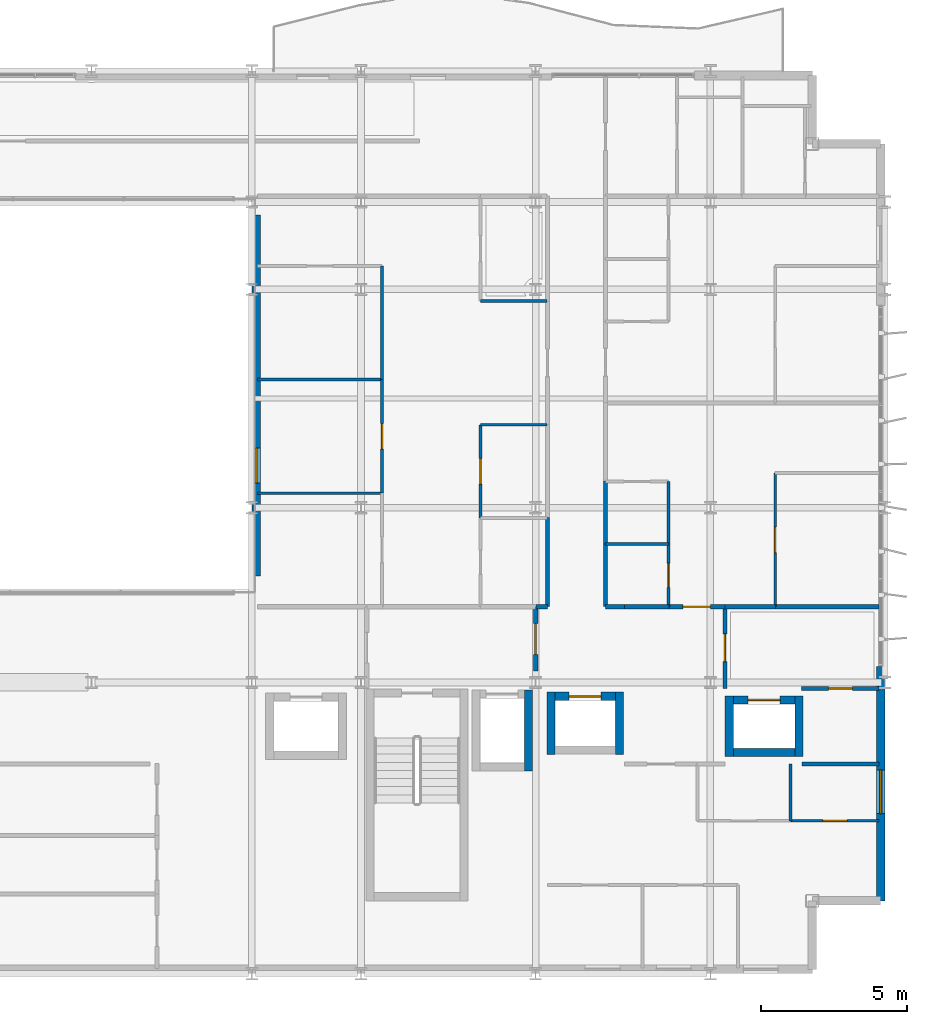
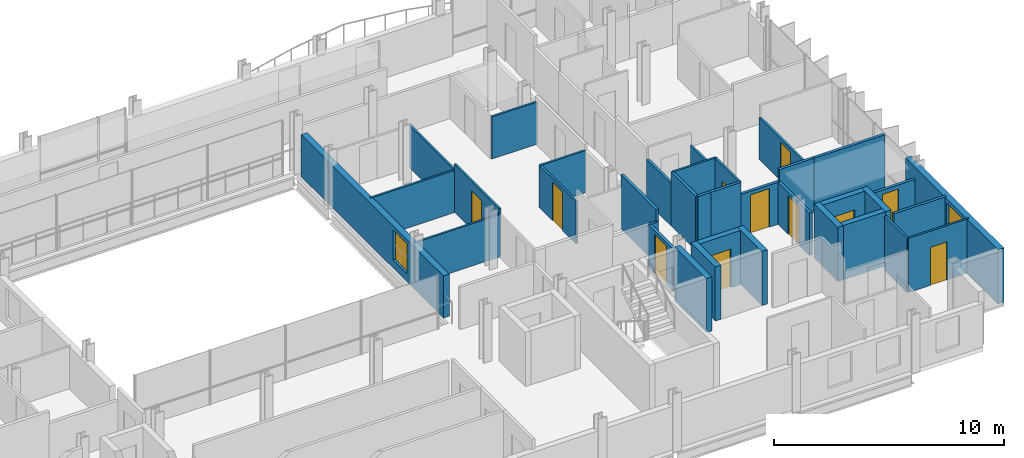
# One storey, part 31 of 39: 36 walls, 11 doors, 2 windows, 13 openings.
"""IFC4 building model written with IfcOpenShell, lengths in metres."""

import ifcopenshell
import ifcopenshell.guid

model = None  # the IFC model being written
_history = None  # IfcOwnerHistory: only IFC2X3 demands one
_inside = {}  # id of a spatial element -> (the spatial element, [elements in it])
_under = {}  # id of a project, library or spatial element -> (it, [spatial elements below it])
_declared = {}  # id of a project -> (the project, [libraries it declares])
_typed = {}  # id of a type object -> (the type object, [elements of that type])
_made_of = {}  # id of a material, layer set ... -> (it, [elements and type objects made of it])


def new_model(schema):
    """Start an empty IFC model of exactly this schema.

    Asked for "IFC4X3", IfcOpenShell would pick the latest addendum, in which some entities
    have other attributes; the version numbers below select the first issue.
    IFC2X3 requires an IfcOwnerHistory on every rooted entity: one is made here for all.
    """
    global model, _history
    if schema == "IFC4X3":
        model = ifcopenshell.file(schema_version=(4, 3, 0, 0))
    else:
        model = ifcopenshell.file(schema=schema)
    _inside.clear()
    _under.clear()
    _declared.clear()
    _typed.clear()
    _made_of.clear()
    _history = None
    if model.schema == "IFC2X3":
        org = make("IfcOrganization", Name="unknown")
        user = make(
            "IfcPersonAndOrganization",
            ThePerson=make("IfcPerson", FamilyName="unknown"),
            TheOrganization=org,
        )
        app = make(
            "IfcApplication",
            ApplicationDeveloper=org,
            Version="unknown",
            ApplicationFullName="unknown",
            ApplicationIdentifier="unknown",
        )
        _history = make(
            "IfcOwnerHistory",
            OwningUser=user,
            OwningApplication=app,
            ChangeAction="ADDED",
            CreationDate=0,
        )
    return model


def make(cls, **values):
    """One entity of the class cls with the attributes given. An attribute that is None is left unset."""
    return model.create_entity(
        cls, **{name: value for name, value in values.items() if value is not None}
    )


def rooted(cls, **values):
    """An entity with a GlobalId (a new one), such as an element, a storey or a relation."""
    return make(cls, GlobalId=ifcopenshell.guid.new(), OwnerHistory=_history, **values)


def si_unit(unit_type, name, prefix=None):
    """IfcSIUnit, for example si_unit("LENGTHUNIT", "METRE", prefix="MILLI")."""
    return make("IfcSIUnit", UnitType=unit_type, Prefix=prefix, Name=name)


def assignment(units):
    """IfcUnitAssignment: the units of a project."""
    return None if units is None else make("IfcUnitAssignment", Units=units)


def point(xyz):
    """IfcCartesianPoint."""
    return None if xyz is None else make("IfcCartesianPoint", Coordinates=xyz)


def direction(xyz):
    """IfcDirection."""
    return None if xyz is None else make("IfcDirection", DirectionRatios=xyz)


def frame(location, z_axis=None, x_axis=None):
    """IfcAxis2Placement3D, a coordinate frame: its origin and axes. An axis left out is left unset."""
    return make(
        "IfcAxis2Placement3D",
        Location=point(location),
        Axis=direction(z_axis),
        RefDirection=direction(x_axis),
    )


def frame_2d(location, x_axis=None):
    """IfcAxis2Placement2D, a coordinate frame in the plane: its origin and x axis."""
    return make(
        "IfcAxis2Placement2D", Location=point(location), RefDirection=direction(x_axis)
    )


def origin():
    """The frame at (0, 0, 0) with its axes left unset."""
    return frame((0.0, 0.0, 0.0))


def place(relative_to, where):
    """IfcLocalPlacement: puts the frame where relative to a parent placement (None: the world)."""
    return make(
        "IfcLocalPlacement", PlacementRelTo=relative_to, RelativePlacement=where
    )


def context(
    kind, dimensions, precision=None, world=None, true_north=None, identifier=None
):
    """IfcGeometricRepresentationContext, for example the 3D "Model" context."""
    return make(
        "IfcGeometricRepresentationContext",
        ContextIdentifier=identifier,
        ContextType=kind,
        CoordinateSpaceDimension=dimensions,
        Precision=precision,
        WorldCoordinateSystem=world,
        TrueNorth=true_north,
    )


def subcontext(parent, identifier, kind, view, scale=None):
    """IfcGeometricRepresentationSubContext, for example "Body" below "Model"."""
    return make(
        "IfcGeometricRepresentationSubContext",
        ContextIdentifier=identifier,
        ContextType=kind,
        ParentContext=parent,
        TargetScale=scale,
        TargetView=view,
    )


def project(units=None, contexts=None):
    """IfcProject with its units and contexts."""
    return rooted(
        "IfcProject",
        Name="project",
        RepresentationContexts=contexts,
        UnitsInContext=assignment(units),
    )


def spatial(cls, under=None, at=None, **own):
    """A site, building, storey or space (cls), placed at a placement, below another one or the project."""
    s = rooted(cls, ObjectPlacement=at, **own)
    if under is not None:
        _under.setdefault(under.id(), (under, []))[1].append(s)
    return s


def profile(cls, at=None, kind="AREA", **sizes):
    """A parametric profile (cls). Its sizes go by their IFC names, for example OverallWidth=200.0."""
    return make(cls, ProfileType=kind, Position=at, **sizes)


def rectangle(**sizes):
    """IfcRectangleProfileDef."""
    return profile("IfcRectangleProfileDef", **sizes)


def extrude(swept, where, along, depth):
    """IfcExtrudedAreaSolid: the profile swept, set in the frame where, extruded along a direction by depth."""
    return make(
        "IfcExtrudedAreaSolid",
        SweptArea=swept,
        Position=where,
        ExtrudedDirection=direction(along),
        Depth=depth,
    )


def shape(context_of_items, identifier, shape_type, items):
    """IfcShapeRepresentation: the items that make up one representation, for example the "Body"."""
    return make(
        "IfcShapeRepresentation",
        ContextOfItems=context_of_items,
        RepresentationIdentifier=identifier,
        RepresentationType=shape_type,
        Items=items,
    )


def material(Name=None, Category=None):
    """IfcMaterial."""
    return make("IfcMaterial", Name=Name, Category=Category)


def layer(
    of_material, thickness, ventilated=None, Name=None, Category=None, Priority=None
):
    """IfcMaterialLayer: one layer of a wall or slab, of a material (None: an air gap)."""
    return make(
        "IfcMaterialLayer",
        Material=of_material,
        LayerThickness=thickness,
        IsVentilated=ventilated,
        Name=Name,
        Category=Category,
        Priority=Priority,
    )


def layer_set(layers, Name=None):
    """IfcMaterialLayerSet."""
    return make("IfcMaterialLayerSet", MaterialLayers=layers, LayerSetName=Name)


def made_of(thing, what):
    """Note that an element or type object is made of a material, layer set ...; save() writes the relation."""
    if what is not None:
        _made_of.setdefault(what.id(), (what, []))[1].append(thing)
    return thing


def type_object(cls, material=None, **own):
    """A type object (cls), such as IfcWallType, which elements share."""
    return made_of(rooted(cls, **own), material)


def element(
    cls,
    number,
    at=None,
    inside=None,
    cuts=None,
    type_object=None,
    material=None,
    context=None,
    identifier="Body",
    shape_type=None,
    held_by="IfcProductDefinitionShape",
    body=None,
    shapes=None,
    **own,
):
    """One element of the class cls, such as IfcWall. Its Tag is "e" and its number.

    at: its placement. inside: the storey or other place that contains it. cuts: it is an
    opening in that element (IfcRelVoidsElement). A single representation is given by context,
    identifier, shape_type and body (its items); several are given by shapes. held_by: the class
    of the entity that holds the representations. save() writes the other relations.
    """
    e = rooted(cls, Tag="e%d" % number, ObjectPlacement=at, **own)
    if body is not None:
        shapes = [shape(context, identifier, shape_type, body)]
    if shapes is not None:
        e.Representation = make(held_by, Representations=shapes)
    if inside is not None:
        _inside.setdefault(inside.id(), (inside, []))[1].append(e)
    if cuts is not None:
        rooted(
            "IfcRelVoidsElement", RelatingBuildingElement=cuts, RelatedOpeningElement=e
        )
    if type_object is not None:
        _typed.setdefault(type_object.id(), (type_object, []))[1].append(e)
    return made_of(e, material)


def fill(opening, filler):
    """IfcRelFillsElement: the door or window that sits in an opening."""
    return rooted(
        "IfcRelFillsElement",
        RelatingOpeningElement=opening,
        RelatedBuildingElement=filler,
    )


def aggregate(whole, parts):
    """IfcRelAggregates: a whole, such as a stair, and the parts it consists of."""
    return rooted("IfcRelAggregates", RelatingObject=whole, RelatedObjects=parts)


def save(model, path):
    """Write the relations noted so far, then the file.

    IfcRelAggregates (storeys below a building ...), IfcRelContainedInSpatialStructure (elements
    in a storey), IfcRelDefinesByType, IfcRelAssociatesMaterial and IfcRelDeclares: one each for
    every whole, place, type object, material and project.
    """
    for whole, parts in _under.values():
        aggregate(whole, parts)
    for where, things in _inside.values():
        rooted(
            "IfcRelContainedInSpatialStructure",
            RelatedElements=things,
            RelatingStructure=where,
        )
    for kind, things in _typed.values():
        rooted("IfcRelDefinesByType", RelatedObjects=things, RelatingType=kind)
    for what, things in _made_of.values():
        rooted("IfcRelAssociatesMaterial", RelatedObjects=things, RelatingMaterial=what)
    for by, libraries in _declared.values():
        rooted("IfcRelDeclares", RelatingContext=by, RelatedDefinitions=libraries)
    model.write(path)


model = new_model("IFC4")

# Units and contexts
model_context = context("Model", 3, precision=1e-05, world=origin(), true_north=direction((0.0, 1.0)))
body_context = subcontext(model_context, "Body", "Model", "MODEL_VIEW")
ifc_project = project(units=[si_unit("LENGTHUNIT", "METRE"), si_unit("AREAUNIT", "SQUARE_METRE"), si_unit("VOLUMEUNIT", "CUBIC_METRE"), si_unit("PLANEANGLEUNIT", "RADIAN"), si_unit("MASSUNIT", "GRAM", prefix="KILO")], contexts=[model_context])

# Site, building, storey
site_placement = place(None, origin())
site = spatial("IfcSite", under=ifc_project, at=site_placement, CompositionType="ELEMENT")
building_placement = place(site_placement, origin())
building = spatial("IfcBuilding", under=site, at=building_placement, Name="Brevholm Reach", CompositionType="ELEMENT")
storey_placement = place(building_placement, frame((0.0, 0.0, 115.89990234375)))
storey = spatial("IfcBuildingStorey", under=building, at=storey_placement, Name="L34", CompositionType="ELEMENT", Elevation=115.89990234375)

# Walls
ifc_material_1 = material(Name="Concrete C50/60", Category="concrete")
ifc_layer_1 = layer(ifc_material_1, 0.280029296875)
ifc_layer_set_1 = layer_set([ifc_layer_1], Name="Concrete C50/60")
wall_type_1 = type_object("IfcWallType", Name="WAL-COR-280", PredefinedType="SHEAR", material=ifc_layer_set_1)
wall_1_placement = place(storey_placement, frame((47.75, 6.9599609375, 0.0), z_axis=(0.0, 0.0, 1.0), x_axis=(0.0, 1.0, 0.0)))
element("IfcWall", 1, at=wall_1_placement, inside=storey, type_object=wall_type_1, Name="L34 Lift FFL-2 Shaft Wall E", PredefinedType="SHEAR", context=body_context, shape_type="SweptSolid", body=[
    extrude(rectangle(XDim=2.780029296875, YDim=0.280029296875, at=frame_2d((1.39013671875, 0.0))), origin(), (0.0, 0.0, 1.0), 2.880126953125),
])
for number, where, z_axis, x_axis, name in (
    (2, (48.52490234375, 7.534912109375, 0.0), (0.0, 0.0, 1.0), (0.0, 1.0, 0.0), "L34 Lift PL-L1 Shaft Wall W"),
    (3, (50.875, 7.534912109375, 0.0), (0.0, 0.0, 1.0), (0.0, 1.0, 0.0), "L34 Lift PL-L1 Shaft Wall E"),
):
    element("IfcWall", number, at=place(storey_placement, frame(where, z_axis=z_axis, x_axis=x_axis)), inside=storey, type_object=wall_type_1, Name=name, PredefinedType="SHEAR", context=body_context, shape_type="SweptSolid", body=[
        extrude(rectangle(XDim=2.130126953125, YDim=0.280029296875, at=frame_2d((1.06494140625, 0.0))), origin(), (0.0, 0.0, 1.0), 2.880126953125),
    ])

# Wall, opening, door
wall_2_placement = place(storey_placement, frame((48.6650390625, 9.52490234375, 0.0), z_axis=(0.0, 0.0, 1.0), x_axis=(1.0, 0.0, 0.0)))
wall_2 = element("IfcWall", 4, at=wall_2_placement, inside=storey, type_object=wall_type_1, Name="L34 Lift PL-L1 Shaft Wall N", PredefinedType="SHEAR", context=body_context, shape_type="SweptSolid", body=[
    extrude(rectangle(XDim=2.070068359375, YDim=0.280029296875, at=frame_2d((1.03515625, 0.0))), origin(), (0.0, 0.0, 1.0), 2.880126953125),
])
opening_1_placement = place(wall_2_placement, frame((0.485107421875, 0.0, 0.0)))
opening_1 = element("IfcOpeningElement", 5, at=opening_1_placement, cuts=wall_2, Name="Opening LD-PL-L1", PredefinedType="OPENING", context=body_context, shape_type="SweptSolid", body=[
    extrude(rectangle(XDim=1.10009765625, YDim=2.06005859375, at=frame_2d((0.550048828125, 1.030029296875))), frame((0.0, 0.14990234375, 0.0), z_axis=(0.0, -1.0, 0.0), x_axis=(1.0, 0.0, 0.0)), (0.0, 0.0, 1.0), 0.300048828125),
])
ifc_material_2 = material(Name="Brushed Stainless Steel Fire-Rated Sliding Lift Door", Category="steel")
door_type_1 = type_object("IfcDoorType", Name="DOR-LFT-1100", OperationType="NOTDEFINED", PredefinedType="DOOR", material=ifc_material_2)
door_1_placement = place(opening_1_placement, origin())
door_1 = element("IfcDoor", 6, at=door_1_placement, inside=storey, type_object=door_type_1, Name="L34 Lift PL-L1 Sliding Landing Door", OperationType="SLIDING_TO_RIGHT", OverallHeight=2.06005859375, OverallWidth=1.10009765625, PredefinedType="DOOR", context=body_context, shape_type="SweptSolid", body=[
    extrude(rectangle(XDim=1.10009765625, YDim=2.06005859375, at=frame_2d((0.550048828125, 1.030029296875))), frame((0.0, 0.02490234375, 0.0), z_axis=(0.0, -1.0, 0.0), x_axis=(1.0, 0.0, 0.0)), (0.0, 0.0, 1.0), 0.050048828125),
])
fill(opening_1, door_1)

# Walls
for number, where, z_axis, x_axis, name in (
    (7, (54.64990234375, 7.4599609375, 0.0), (0.0, 0.0, 1.0), (0.0, 1.0, 0.0), "L34 Lift PL-L2 Shaft Wall W"),
    (8, (57.050048828125, 7.4599609375, 0.0), (0.0, 0.0, 1.0), (0.0, 1.0, 0.0), "L34 Lift PL-L2 Shaft Wall E"),
):
    element("IfcWall", number, at=place(storey_placement, frame(where, z_axis=z_axis, x_axis=x_axis)), inside=storey, type_object=wall_type_1, Name=name, PredefinedType="SHEAR", context=body_context, shape_type="SweptSolid", body=[
        extrude(rectangle(XDim=2.080078125, YDim=0.280029296875, at=frame_2d((1.0400390625, 0.0))), origin(), (0.0, 0.0, 1.0), 2.880126953125),
    ])
wall_3_placement = place(storey_placement, frame((54.7900390625, 7.60009765625, 0.0), z_axis=(0.0, 0.0, 1.0), x_axis=(1.0, 0.0, 0.0)))
element("IfcWall", 9, at=wall_3_placement, inside=storey, type_object=wall_type_1, Name="L34 Lift PL-L2 Shaft Wall S", PredefinedType="SHEAR", context=body_context, shape_type="SweptSolid", body=[
    extrude(rectangle(XDim=2.119873046875, YDim=0.280029296875, at=frame_2d((1.06005859375, 0.0))), origin(), (0.0, 0.0, 1.0), 2.880126953125),
])

# Wall, opening, door
wall_4_placement = place(storey_placement, frame((54.7900390625, 9.39990234375, 0.0), z_axis=(0.0, 0.0, 1.0), x_axis=(1.0, 0.0, 0.0)))
wall_4 = element("IfcWall", 10, at=wall_4_placement, inside=storey, type_object=wall_type_1, Name="L34 Lift PL-L2 Shaft Wall N", PredefinedType="SHEAR", context=body_context, shape_type="SweptSolid", body=[
    extrude(rectangle(XDim=2.119873046875, YDim=0.280029296875, at=frame_2d((1.06005859375, 0.0))), origin(), (0.0, 0.0, 1.0), 2.880126953125),
])
opening_2_placement = place(wall_4_placement, frame((0.510009765625, 0.0, 0.0)))
opening_2 = element("IfcOpeningElement", 11, at=opening_2_placement, cuts=wall_4, Name="Opening LD-PL-L2", PredefinedType="OPENING", context=body_context, shape_type="SweptSolid", body=[
    extrude(rectangle(XDim=1.10009765625, YDim=2.06005859375, at=frame_2d((0.550048828125, 1.030029296875))), frame((0.0, 0.14990234375, 0.0), z_axis=(0.0, -1.0, 0.0), x_axis=(1.0, 0.0, 0.0)), (0.0, 0.0, 1.0), 0.300048828125),
])
door_2_placement = place(opening_2_placement, origin())
door_2 = element("IfcDoor", 12, at=door_2_placement, inside=storey, type_object=door_type_1, Name="L34 Lift PL-L2 Sliding Landing Door", OperationType="SLIDING_TO_LEFT", OverallHeight=2.06005859375, OverallWidth=1.10009765625, PredefinedType="DOOR", context=body_context, shape_type="SweptSolid", body=[
    extrude(rectangle(XDim=1.10009765625, YDim=2.06005859375, at=frame_2d((0.550048828125, 1.030029296875))), frame((0.0, 0.02490234375, 0.0), z_axis=(0.0, -1.0, 0.0), x_axis=(1.0, 0.0, 0.0)), (0.0, 0.0, 1.0), 0.050048828125),
])
fill(opening_2, door_2)

# Wall, opening, window
ifc_material_3 = material(Name="Concrete C40/50", Category="concrete")
ifc_layer_2 = layer(ifc_material_3, 0.300048828125)
ifc_layer_set_2 = layer_set([ifc_layer_2], Name="Concrete C40/50")
wall_type_2 = type_object("IfcWallType", Name="WAL-EXT-300", PredefinedType="STANDARD", material=ifc_layer_set_2)
wall_5_placement = place(storey_placement, frame((59.85009765625, 2.5, 0.0), z_axis=(0.0, 0.0, 1.0), x_axis=(0.0, 1.0, 0.0)))
wall_5 = element("IfcWall", 13, at=wall_5_placement, inside=storey, type_object=wall_type_2, Name="L34 Facade Wall WAL-L34-E-S", PredefinedType="STANDARD", context=body_context, shape_type="SweptSolid", body=[
    extrude(rectangle(XDim=8.050048828125, YDim=0.300048828125, at=frame_2d((4.02490234375, 0.0))), origin(), (0.0, 0.0, 1.0), 2.880126953125),
])
opening_3_placement = place(wall_5_placement, frame((3.0, 0.0, 0.860107421875)))
opening_3 = element("IfcOpeningElement", 14, at=opening_3_placement, cuts=wall_5, Name="Opening WN-05", PredefinedType="OPENING", context=body_context, shape_type="SweptSolid", body=[
    extrude(rectangle(XDim=1.5, YDim=1.800048828125, at=frame_2d((0.75, 0.89990234375))), frame((0.0, 0.159912109375, 0.0), z_axis=(0.0, -1.0, 0.0), x_axis=(1.0, 0.0, 0.0)), (0.0, 0.0, 1.0), 0.320068359375),
])
ifc_material_4 = material(Name="Dark Anodised Aluminium and Solar-Control IGU Glass", Category="aluminium")
window_type_1 = type_object("IfcWindowType", Name="WIN-RES-1500", PartitioningType="SINGLE_PANEL", PredefinedType="WINDOW", material=ifc_material_4)
window_1_placement = place(opening_3_placement, origin())
window_1 = element("IfcWindow", 15, at=window_1_placement, inside=storey, type_object=window_type_1, Name="L34 Window WIN-L34-ES-1", OverallHeight=1.800048828125, OverallWidth=1.5, PartitioningType="SINGLE_PANEL", PredefinedType="WINDOW", context=body_context, shape_type="SweptSolid", body=[
    extrude(rectangle(XDim=1.5, YDim=1.800048828125, at=frame_2d((0.75, 0.89990234375))), frame((0.0, 0.030029296875, 0.0), z_axis=(0.0, -1.0, 0.0), x_axis=(1.0, 0.0, 0.0)), (0.0, 0.0, 1.0), 0.06005859375),
])
fill(opening_3, window_1)

wall_6_placement = place(storey_placement, frame((38.39990234375, 13.64990234375, 0.0), z_axis=(0.0, 0.0, 1.0), x_axis=(0.0, 1.0, 0.0)))
wall_6 = element("IfcWall", 16, at=wall_6_placement, inside=storey, type_object=wall_type_2, Name="L34 Facade Wall WAL-L34-AT-E", PredefinedType="STANDARD", context=body_context, shape_type="SweptSolid", body=[
    extrude(rectangle(XDim=12.400146484375, YDim=0.300048828125, at=frame_2d((6.2001953125, 0.0))), origin(), (0.0, 0.0, 1.0), 2.242919921875),
])
opening_4_placement = place(wall_6_placement, frame((3.199951171875, 0.0, 0.423095703125)))
opening_4 = element("IfcOpeningElement", 17, at=opening_4_placement, cuts=wall_6, Name="Opening WN-08", PredefinedType="OPENING", context=body_context, shape_type="SweptSolid", body=[
    extrude(rectangle(XDim=1.199951171875, YDim=1.60009765625, at=frame_2d((0.60009765625, 0.800048828125))), frame((0.0, 0.159912109375, 0.0), z_axis=(0.0, -1.0, 0.0), x_axis=(1.0, 0.0, 0.0)), (0.0, 0.0, 1.0), 0.320068359375),
])
ifc_material_5 = material(Name="Dark Anodised Aluminium and Solar-Control IGU Glass", Category="aluminium")
window_type_2 = type_object("IfcWindowType", Name="WIN-RES-1200", PartitioningType="SINGLE_PANEL", PredefinedType="WINDOW", material=ifc_material_5)
window_2_placement = place(opening_4_placement, origin())
window_2 = element("IfcWindow", 18, at=window_2_placement, inside=storey, type_object=window_type_2, Name="L34 Window WIN-L34-AT-E1", OverallHeight=1.60009765625, OverallWidth=1.199951171875, PartitioningType="SINGLE_PANEL", PredefinedType="WINDOW", context=body_context, shape_type="SweptSolid", body=[
    extrude(rectangle(XDim=1.199951171875, YDim=1.60009765625, at=frame_2d((0.60009765625, 0.800048828125))), frame((0.0, 0.030029296875, 0.0), z_axis=(0.0, -1.0, 0.0), x_axis=(1.0, 0.0, 0.0)), (0.0, 0.0, 1.0), 0.06005859375),
])
fill(opening_4, window_2)

# Wall
ifc_material_6 = material(Name="Moisture-Resistant Acoustic Gypsum Stud Partition 100 mm", Category="gypsum")
ifc_layer_3 = layer(ifc_material_6, 0.10009765625)
ifc_layer_set_3 = layer_set([ifc_layer_3], Name="Moisture-Resistant Acoustic Gypsum Stud Partition 100 mm")
wall_type_3 = type_object("IfcWallType", Name="WAL-PRT-100", PredefinedType="PARTITIONING", material=ifc_layer_set_3)
wall_7_placement = place(storey_placement, frame((56.75, 5.25, 0.0), z_axis=(0.0, 0.0, 1.0), x_axis=(0.0, 1.0, 0.0)))
element("IfcWall", 19, at=wall_7_placement, inside=storey, type_object=wall_type_3, Name="L34 Internal Partition 079", PredefinedType="PARTITIONING", context=body_context, shape_type="SweptSolid", body=[
    extrude(rectangle(XDim=1.949951171875, YDim=0.10009765625, at=frame_2d((0.97509765625, 0.0))), origin(), (0.0, 0.0, 1.0), 2.880126953125),
])

# Wall, opening, door
wall_8_placement = place(storey_placement, frame((56.75, 5.25, 0.0), z_axis=(0.0, 0.0, 1.0), x_axis=(1.0, 0.0, 0.0)))
wall_8 = element("IfcWall", 20, at=wall_8_placement, inside=storey, type_object=wall_type_3, Name="L34 Internal Partition 080", PredefinedType="PARTITIONING", context=body_context, shape_type="SweptSolid", body=[
    extrude(rectangle(XDim=3.050048828125, YDim=0.10009765625, at=frame_2d((1.52490234375, 0.0))), origin(), (0.0, 0.0, 1.0), 2.880126953125),
])
opening_5_placement = place(wall_8_placement, frame((1.114990234375, 0.0, 0.0)))
opening_5 = element("IfcOpeningElement", 21, at=opening_5_placement, cuts=wall_8, Name="Opening ID-03", PredefinedType="OPENING", context=body_context, shape_type="SweptSolid", body=[
    extrude(rectangle(XDim=0.820068359375, YDim=2.02001953125, at=frame_2d((0.41015625, 1.010009765625))), frame((0.0, 0.06005859375, 0.0), z_axis=(0.0, -1.0, 0.0), x_axis=(1.0, 0.0, 0.0)), (0.0, 0.0, 1.0), 0.1201171875),
])
ifc_material_7 = material(Name="Moisture-Resistant Painted Timber Internal Bathroom Door", Category="wood")
door_type_2 = type_object("IfcDoorType", Name="DOR-BATH-820", OperationType="NOTDEFINED", PredefinedType="DOOR", material=ifc_material_7)
door_3_placement = place(opening_5_placement, origin())
door_3 = element("IfcDoor", 22, at=door_3_placement, inside=storey, type_object=door_type_2, Name="L34 Internal Door 028", OperationType="SINGLE_SWING_RIGHT", OverallHeight=2.02001953125, OverallWidth=0.820068359375, PredefinedType="DOOR", context=body_context, shape_type="SweptSolid", body=[
    extrude(rectangle(XDim=0.820068359375, YDim=2.02001953125, at=frame_2d((0.41015625, 1.010009765625))), frame((0.0, 0.02490234375, 0.0), z_axis=(0.0, -1.0, 0.0), x_axis=(1.0, 0.0, 0.0)), (0.0, 0.0, 1.0), 0.050048828125),
])
fill(opening_5, door_3)

# Wall
wall_9_placement = place(storey_placement, frame((46.112060546875, 18.85009765625, 0.0), z_axis=(0.0, 0.0, 1.0), x_axis=(1.0, 0.0, 0.0)))
element("IfcWall", 23, at=wall_9_placement, inside=storey, type_object=wall_type_3, Name="L34 Internal Partition 122", PredefinedType="PARTITIONING", context=body_context, shape_type="SweptSolid", body=[
    extrude(rectangle(XDim=2.283935546875, YDim=0.10009765625, at=frame_2d((1.14208984375, 0.0))), origin(), (0.0, 0.0, 1.0), 2.242919921875),
])

# Wall, opening, door
wall_10_placement = place(storey_placement, frame((46.112060546875, 15.654052734375, 0.0), z_axis=(0.0, 0.0, 1.0), x_axis=(0.0, 1.0, 0.0)))
wall_10 = element("IfcWall", 24, at=wall_10_placement, inside=storey, type_object=wall_type_3, Name="L34 Internal Partition 123", PredefinedType="PARTITIONING", context=body_context, shape_type="SweptSolid", body=[
    extrude(rectangle(XDim=3.196044921875, YDim=0.10009765625, at=frame_2d((1.59814453125, 0.0))), origin(), (0.0, 0.0, 1.0), 2.242919921875),
])
opening_6_placement = place(wall_10_placement, frame((1.157958984375, 0.0, 0.0)))
opening_6 = element("IfcOpeningElement", 25, at=opening_6_placement, cuts=wall_10, Name="Opening ID-01", PredefinedType="OPENING", context=body_context, shape_type="SweptSolid", body=[
    extrude(rectangle(XDim=0.8798828125, YDim=2.0400390625, at=frame_2d((0.43994140625, 1.02001953125))), frame((0.0, 0.06005859375, 0.0), z_axis=(0.0, -1.0, 0.0), x_axis=(1.0, 0.0, 0.0)), (0.0, 0.0, 1.0), 0.1201171875),
])
ifc_material_8 = material(Name="Lacquered Ash Solid-Core Acoustic Internal Door", Category="timber")
door_type_3 = type_object("IfcDoorType", Name="DOR-INT-880", OperationType="NOTDEFINED", PredefinedType="DOOR", material=ifc_material_8)
door_4_placement = place(opening_6_placement, origin())
door_4 = element("IfcDoor", 26, at=door_4_placement, inside=storey, type_object=door_type_3, Name="L34 Internal Door 045", OperationType="SINGLE_SWING_LEFT", OverallHeight=2.0400390625, OverallWidth=0.8798828125, PredefinedType="DOOR", context=body_context, shape_type="SweptSolid", body=[
    extrude(rectangle(XDim=0.8798828125, YDim=2.0400390625, at=frame_2d((0.43994140625, 1.02001953125))), frame((0.0, 0.02490234375, 0.0), z_axis=(0.0, -1.0, 0.0), x_axis=(1.0, 0.0, 0.0)), (0.0, 0.0, 1.0), 0.050048828125),
])
fill(opening_6, door_4)

# Walls
wall_11_placement = place(storey_placement, frame((46.112060546875, 23.10009765625, 0.0), z_axis=(0.0, 0.0, 1.0), x_axis=(1.0, 0.0, 0.0)))
element("IfcWall", 27, at=wall_11_placement, inside=storey, type_object=wall_type_3, Name="L34 Internal Partition 124", PredefinedType="PARTITIONING", context=body_context, shape_type="SweptSolid", body=[
    extrude(rectangle(XDim=2.283935546875, YDim=0.10009765625, at=frame_2d((1.14208984375, 0.0))), origin(), (0.0, 0.0, 1.0), 2.242919921875),
])
for number, where, z_axis, x_axis, name in (
    (28, (38.449951171875, 16.5, 0.0), (0.0, 0.0, 1.0), (1.0, 0.0, 0.0), "L34 Internal Partition 126"),
    (29, (38.449951171875, 20.39990234375, 0.0), (0.0, 0.0, 1.0), (1.0, 0.0, 0.0), "L34 Internal Partition 128"),
):
    element("IfcWall", number, at=place(storey_placement, frame(where, z_axis=z_axis, x_axis=x_axis)), inside=storey, type_object=wall_type_3, Name=name, PredefinedType="PARTITIONING", context=body_context, shape_type="SweptSolid", body=[
        extrude(rectangle(XDim=4.278076171875, YDim=0.10009765625, at=frame_2d((2.13916015625, 0.0))), origin(), (0.0, 0.0, 1.0), 2.242919921875),
    ])

# Wall, opening, door
wall_12_placement = place(storey_placement, frame((42.72802734375, 16.50390625, 0.0), z_axis=(0.0, 0.0, 1.0), x_axis=(0.0, 1.0, 0.0)))
wall_12 = element("IfcWall", 30, at=wall_12_placement, inside=storey, type_object=wall_type_3, Name="L34 Internal Partition 129", PredefinedType="PARTITIONING", context=body_context, shape_type="SweptSolid", body=[
    extrude(rectangle(XDim=3.89599609375, YDim=0.10009765625, at=frame_2d((1.947998046875, 0.0))), origin(), (0.0, 0.0, 1.0), 2.5517578125),
])
opening_7_placement = place(wall_12_placement, frame((1.508056640625, 0.0, 0.0)))
opening_7 = element("IfcOpeningElement", 31, at=opening_7_placement, cuts=wall_12, Name="Opening ID-01", PredefinedType="OPENING", context=body_context, shape_type="SweptSolid", body=[
    extrude(rectangle(XDim=0.8798828125, YDim=2.0400390625, at=frame_2d((0.43994140625, 1.02001953125))), frame((0.0, 0.06005859375, 0.0), z_axis=(0.0, -1.0, 0.0), x_axis=(1.0, 0.0, 0.0)), (0.0, 0.0, 1.0), 0.1201171875),
])
door_5_placement = place(opening_7_placement, origin())
door_5 = element("IfcDoor", 32, at=door_5_placement, inside=storey, type_object=door_type_3, Name="L34 Internal Door 048", OperationType="SINGLE_SWING_RIGHT", OverallHeight=2.0400390625, OverallWidth=0.8798828125, PredefinedType="DOOR", context=body_context, shape_type="SweptSolid", body=[
    extrude(rectangle(XDim=0.8798828125, YDim=2.0400390625, at=frame_2d((0.43994140625, 1.02001953125))), frame((0.0, 0.02490234375, 0.0), z_axis=(0.0, -1.0, 0.0), x_axis=(1.0, 0.0, 0.0)), (0.0, 0.0, 1.0), 0.050048828125),
])
fill(opening_7, door_5)

# Walls
wall_13_placement = place(storey_placement, frame((42.72802734375, 20.404052734375, 0.0), z_axis=(0.0, 0.0, 1.0), x_axis=(0.0, 1.0, 0.0)))
element("IfcWall", 33, at=wall_13_placement, inside=storey, type_object=wall_type_3, Name="L34 Internal Partition 130", PredefinedType="PARTITIONING", context=body_context, shape_type="SweptSolid", body=[
    extrude(rectangle(XDim=3.89599609375, YDim=0.10009765625, at=frame_2d((1.947998046875, 0.0))), origin(), (0.0, 0.0, 1.0), 2.242919921875),
])
wall_14_placement = place(storey_placement, frame((50.404052734375, 14.75, 0.0), z_axis=(0.0, 0.0, 1.0), x_axis=(1.0, 0.0, 0.0)))
element("IfcWall", 34, at=wall_14_placement, inside=storey, type_object=wall_type_3, Name="L34 Internal Partition 132", PredefinedType="PARTITIONING", context=body_context, shape_type="SweptSolid", body=[
    extrude(rectangle(XDim=2.157958984375, YDim=0.10009765625, at=frame_2d((1.0791015625, 0.0))), origin(), (0.0, 0.0, 1.0), 2.880126953125),
])

# Wall, opening, door
wall_15_placement = place(storey_placement, frame((52.56201171875, 12.60400390625, 0.0), z_axis=(0.0, 0.0, 1.0), x_axis=(0.0, 1.0, 0.0)))
wall_15 = element("IfcWall", 35, at=wall_15_placement, inside=storey, type_object=wall_type_3, Name="L34 Internal Partition 133", PredefinedType="PARTITIONING", context=body_context, shape_type="SweptSolid", body=[
    extrude(rectangle(XDim=2.14599609375, YDim=0.10009765625, at=frame_2d((1.072998046875, 0.0))), origin(), (0.0, 0.0, 1.0), 2.880126953125),
])
opening_8_placement = place(wall_15_placement, frame((0.6630859375, 0.0, 0.0)))
opening_8 = element("IfcOpeningElement", 36, at=opening_8_placement, cuts=wall_15, Name="Opening ID-03", PredefinedType="OPENING", context=body_context, shape_type="SweptSolid", body=[
    extrude(rectangle(XDim=0.820068359375, YDim=2.02001953125, at=frame_2d((0.41015625, 1.010009765625))), frame((0.0, 0.06005859375, 0.0), z_axis=(0.0, -1.0, 0.0), x_axis=(1.0, 0.0, 0.0)), (0.0, 0.0, 1.0), 0.1201171875),
])
door_6_placement = place(opening_8_placement, origin())
door_6 = element("IfcDoor", 37, at=door_6_placement, inside=storey, type_object=door_type_2, Name="L34 Internal Door 050", OperationType="SINGLE_SWING_RIGHT", OverallHeight=2.02001953125, OverallWidth=0.820068359375, PredefinedType="DOOR", context=body_context, shape_type="SweptSolid", body=[
    extrude(rectangle(XDim=0.820068359375, YDim=2.02001953125, at=frame_2d((0.41015625, 1.010009765625))), frame((0.0, 0.02490234375, 0.0), z_axis=(0.0, -1.0, 0.0), x_axis=(1.0, 0.0, 0.0)), (0.0, 0.0, 1.0), 0.050048828125),
])
fill(opening_8, door_6)

# Wall
wall_16_placement = place(storey_placement, frame((52.56201171875, 14.75390625, 0.0), z_axis=(0.0, 0.0, 1.0), x_axis=(0.0, 1.0, 0.0)))
element("IfcWall", 38, at=wall_16_placement, inside=storey, type_object=wall_type_3, Name="L34 Internal Partition 134", PredefinedType="PARTITIONING", context=body_context, shape_type="SweptSolid", body=[
    extrude(rectangle(XDim=2.14599609375, YDim=0.10009765625, at=frame_2d((1.072998046875, 0.0))), origin(), (0.0, 0.0, 1.0), 2.242919921875),
])

# Wall, opening, door
wall_17_placement = place(storey_placement, frame((56.22802734375, 12.60400390625, 0.0), z_axis=(0.0, 0.0, 1.0), x_axis=(0.0, 1.0, 0.0)))
wall_17 = element("IfcWall", 39, at=wall_17_placement, inside=storey, type_object=wall_type_3, Name="L34 Internal Partition 137", PredefinedType="PARTITIONING", context=body_context, shape_type="SweptSolid", body=[
    extrude(rectangle(XDim=4.595947265625, YDim=0.10009765625, at=frame_2d((2.2978515625, 0.0))), origin(), (0.0, 0.0, 1.0), 2.242919921875),
])
opening_9_placement = place(wall_17_placement, frame((1.85791015625, 0.0, 0.0)))
opening_9 = element("IfcOpeningElement", 40, at=opening_9_placement, cuts=wall_17, Name="Opening ID-01", PredefinedType="OPENING", context=body_context, shape_type="SweptSolid", body=[
    extrude(rectangle(XDim=0.8798828125, YDim=2.0400390625, at=frame_2d((0.43994140625, 1.02001953125))), frame((0.0, 0.06005859375, 0.0), z_axis=(0.0, -1.0, 0.0), x_axis=(1.0, 0.0, 0.0)), (0.0, 0.0, 1.0), 0.1201171875),
])
door_7_placement = place(opening_9_placement, origin())
door_7 = element("IfcDoor", 41, at=door_7_placement, inside=storey, type_object=door_type_3, Name="L34 Internal Door 052", OperationType="SINGLE_SWING_RIGHT", OverallHeight=2.0400390625, OverallWidth=0.8798828125, PredefinedType="DOOR", context=body_context, shape_type="SweptSolid", body=[
    extrude(rectangle(XDim=0.8798828125, YDim=2.0400390625, at=frame_2d((0.43994140625, 1.02001953125))), frame((0.0, 0.02490234375, 0.0), z_axis=(0.0, -1.0, 0.0), x_axis=(1.0, 0.0, 0.0)), (0.0, 0.0, 1.0), 0.050048828125),
])
fill(opening_9, door_7)

ifc_material_9 = material(Name="Twin-Stud Acoustic Fire-Rated Gypsum Partition 140 mm", Category="gypsum")
ifc_layer_4 = layer(ifc_material_9, 0.139892578125)
ifc_layer_set_4 = layer_set([ifc_layer_4], Name="Twin-Stud Acoustic Fire-Rated Gypsum Partition 140 mm")
wall_type_4 = type_object("IfcWallType", Name="WAL-PRT-140", PredefinedType="PARTITIONING", material=ifc_layer_set_4)
wall_18_placement = place(storey_placement, frame((54.5, 9.788818359375, 0.0), z_axis=(0.0, 0.0, 1.0), x_axis=(0.0, 1.0, 0.0)))
wall_18 = element("IfcWall", 42, at=wall_18_placement, inside=storey, type_object=wall_type_4, Name="L34 Internal Partition 008", PredefinedType="PARTITIONING", context=body_context, shape_type="SweptSolid", body=[
    extrude(rectangle(XDim=2.811279296875, YDim=0.139892578125, at=frame_2d((1.40576171875, 0.0))), origin(), (0.0, 0.0, 1.0), 2.242919921875),
])
opening_10_placement = place(wall_18_placement, frame((0.9306640625, 0.0, 0.0)))
opening_10 = element("IfcOpeningElement", 43, at=opening_10_placement, cuts=wall_18, Name="Opening ID-30", PredefinedType="OPENING", context=body_context, shape_type="SweptSolid", body=[
    extrude(rectangle(XDim=0.949951171875, YDim=2.050048828125, at=frame_2d((0.47509765625, 1.02490234375))), frame((0.0, 0.079833984375, 0.0), z_axis=(0.0, -1.0, 0.0), x_axis=(1.0, 0.0, 0.0)), (0.0, 0.0, 1.0), 0.159912109375),
])
ifc_material_10 = material(Name="European Oak Veneered Solid-Core Fire Entrance Door", Category="timber")
door_type_4 = type_object("IfcDoorType", Name="DOR-FLT-FD30S", OperationType="NOTDEFINED", PredefinedType="DOOR", material=ifc_material_10)
door_8_placement = place(opening_10_placement, origin())
door_8 = element("IfcDoor", 44, at=door_8_placement, inside=storey, type_object=door_type_4, Name="L34 Internal Door 006", OperationType="SINGLE_SWING_RIGHT", OverallHeight=2.050048828125, OverallWidth=0.949951171875, PredefinedType="DOOR", context=body_context, shape_type="SweptSolid", body=[
    extrude(rectangle(XDim=0.949951171875, YDim=2.050048828125, at=frame_2d((0.47509765625, 1.02490234375))), frame((0.0, 0.02490234375, 0.0), z_axis=(0.0, -1.0, 0.0), x_axis=(1.0, 0.0, 0.0)), (0.0, 0.0, 1.0), 0.050048828125),
])
fill(opening_10, door_8)

# Wall
wall_19_placement = place(storey_placement, frame((51.050048828125, 12.60009765625, 0.0), z_axis=(0.0, 0.0, 1.0), x_axis=(1.0, 0.0, 0.0)))
element("IfcWall", 45, at=wall_19_placement, inside=storey, type_object=wall_type_4, Name="L34 Internal Partition 011", PredefinedType="PARTITIONING", context=body_context, shape_type="SweptSolid", body=[
    extrude(rectangle(XDim=1.523193359375, YDim=0.139892578125, at=frame_2d((0.76171875, 0.0))), origin(), (0.0, 0.0, 1.0), 2.880126953125),
])

# Wall, opening, door
wall_20_placement = place(storey_placement, frame((52.5546875, 12.60009765625, 0.0), z_axis=(0.0, 0.0, 1.0), x_axis=(1.0, 0.0, 0.0)))
wall_20 = element("IfcWall", 46, at=wall_20_placement, inside=storey, type_object=wall_type_4, Name="L34 Internal Partition 012", PredefinedType="PARTITIONING", context=body_context, shape_type="SweptSolid", body=[
    extrude(rectangle(XDim=1.9453125, YDim=0.139892578125, at=frame_2d((0.97265625, 0.0))), origin(), (0.0, 0.0, 1.0), 2.242919921875),
])
opening_11_placement = place(wall_20_placement, frame((0.497802734375, 0.0, 0.0)))
opening_11 = element("IfcOpeningElement", 47, at=opening_11_placement, cuts=wall_20, Name="Opening ID-30", PredefinedType="OPENING", context=body_context, shape_type="SweptSolid", body=[
    extrude(rectangle(XDim=0.949951171875, YDim=2.050048828125, at=frame_2d((0.47509765625, 1.02490234375))), frame((0.0, 0.079833984375, 0.0), z_axis=(0.0, -1.0, 0.0), x_axis=(1.0, 0.0, 0.0)), (0.0, 0.0, 1.0), 0.159912109375),
])
door_9_placement = place(opening_11_placement, origin())
door_9 = element("IfcDoor", 48, at=door_9_placement, inside=storey, type_object=door_type_4, Name="L34 Internal Door 008", OperationType="SINGLE_SWING_RIGHT", OverallHeight=2.050048828125, OverallWidth=0.949951171875, PredefinedType="DOOR", context=body_context, shape_type="SweptSolid", body=[
    extrude(rectangle(XDim=0.949951171875, YDim=2.050048828125, at=frame_2d((0.47509765625, 1.02490234375))), frame((0.0, 0.02490234375, 0.0), z_axis=(0.0, -1.0, 0.0), x_axis=(1.0, 0.0, 0.0)), (0.0, 0.0, 1.0), 0.050048828125),
])
fill(opening_11, door_9)

# Walls
wall_21_placement = place(storey_placement, frame((48.00390625, 12.60009765625, 0.0), z_axis=(0.0, 0.0, 1.0), x_axis=(1.0, 0.0, 0.0)))
element("IfcWall", 49, at=wall_21_placement, inside=storey, type_object=wall_type_4, Name="L34 Internal Partition 031", PredefinedType="PARTITIONING", context=body_context, shape_type="SweptSolid", body=[
    extrude(rectangle(XDim=0.4033203125, YDim=0.139892578125, at=frame_2d((0.20166015625, 0.0))), origin(), (0.0, 0.0, 1.0), 2.242919921875),
])
wall_22_placement = place(storey_placement, frame((50.392578125, 12.60009765625, 0.0), z_axis=(0.0, 0.0, 1.0), x_axis=(1.0, 0.0, 0.0)))
element("IfcWall", 50, at=wall_22_placement, inside=storey, type_object=wall_type_4, Name="L34 Internal Partition 032", PredefinedType="PARTITIONING", context=body_context, shape_type="SweptSolid", body=[
    extrude(rectangle(XDim=0.6533203125, YDim=0.139892578125, at=frame_2d((0.32666015625, 0.0))), origin(), (0.0, 0.0, 1.0), 2.880126953125),
])
wall_23_placement = place(storey_placement, frame((48.39990234375, 12.60400390625, 0.0), z_axis=(0.0, 0.0, 1.0), x_axis=(0.0, 1.0, 0.0)))
element("IfcWall", 51, at=wall_23_placement, inside=storey, type_object=wall_type_4, Name="L34 Internal Partition 046", PredefinedType="PARTITIONING", context=body_context, shape_type="SweptSolid", body=[
    extrude(rectangle(XDim=3.057373046875, YDim=0.139892578125, at=frame_2d((1.52880859375, 0.0))), origin(), (0.0, 0.0, 1.0), 2.880126953125),
])
wall_24_placement = place(storey_placement, frame((50.39990234375, 12.60400390625, 0.0), z_axis=(0.0, 0.0, 1.0), x_axis=(0.0, 1.0, 0.0)))
element("IfcWall", 52, at=wall_24_placement, inside=storey, type_object=wall_type_4, Name="L34 Internal Partition 050", PredefinedType="PARTITIONING", context=body_context, shape_type="SweptSolid", body=[
    extrude(rectangle(XDim=2.1572265625, YDim=0.139892578125, at=frame_2d((1.07861328125, 0.0))), origin(), (0.0, 0.0, 1.0), 2.880126953125),
])
wall_25_placement = place(storey_placement, frame((50.39990234375, 14.74267578125, 0.0), z_axis=(0.0, 0.0, 1.0), x_axis=(0.0, 1.0, 0.0)))
element("IfcWall", 53, at=wall_25_placement, inside=storey, type_object=wall_type_4, Name="L34 Internal Partition 051", PredefinedType="PARTITIONING", context=body_context, shape_type="SweptSolid", body=[
    extrude(rectangle(XDim=2.168701171875, YDim=0.139892578125, at=frame_2d((1.08447265625, 0.0))), origin(), (0.0, 0.0, 1.0), 2.242919921875),
])

# Wall, opening, door
wall_26_placement = place(storey_placement, frame((57.138671875, 9.800048828125, 0.0), z_axis=(0.0, 0.0, 1.0), x_axis=(1.0, 0.0, 0.0)))
wall_26 = element("IfcWall", 54, at=wall_26_placement, inside=storey, type_object=wall_type_4, Name="L34 Internal Partition 075", PredefinedType="PARTITIONING", context=body_context, shape_type="SweptSolid", body=[
    extrude(rectangle(XDim=2.661376953125, YDim=0.139892578125, at=frame_2d((1.33056640625, 0.0))), origin(), (0.0, 0.0, 1.0), 2.242919921875),
])
opening_12_placement = place(wall_26_placement, frame((0.920654296875, 0.0, 0.0)))
opening_12 = element("IfcOpeningElement", 55, at=opening_12_placement, cuts=wall_26, Name="Opening ID-02", PredefinedType="OPENING", context=body_context, shape_type="SweptSolid", body=[
    extrude(rectangle(XDim=0.820068359375, YDim=2.02001953125, at=frame_2d((0.41015625, 1.010009765625))), frame((0.0, 0.079833984375, 0.0), z_axis=(0.0, -1.0, 0.0), x_axis=(1.0, 0.0, 0.0)), (0.0, 0.0, 1.0), 0.159912109375),
])
ifc_material_11 = material(Name="Moisture-Resistant Painted Timber Fire-Rated Riser and Service Door", Category="wood")
door_type_5 = type_object("IfcDoorType", Name="DOR-SRV-820", OperationType="NOTDEFINED", PredefinedType="DOOR", material=ifc_material_11)
door_10_placement = place(opening_12_placement, origin())
door_10 = element("IfcDoor", 56, at=door_10_placement, inside=storey, type_object=door_type_5, Name="L34 Access Door 060", OperationType="SINGLE_SWING_RIGHT", OverallHeight=2.02001953125, OverallWidth=0.820068359375, PredefinedType="DOOR", context=body_context, shape_type="SweptSolid", body=[
    extrude(rectangle(XDim=0.820068359375, YDim=2.02001953125, at=frame_2d((0.41015625, 1.010009765625))), frame((0.0, 0.02490234375, 0.0), z_axis=(0.0, -1.0, 0.0), x_axis=(1.0, 0.0, 0.0)), (0.0, 0.0, 1.0), 0.050048828125),
])
fill(opening_12, door_10)

# Walls
wall_27_placement = place(storey_placement, frame((56.216796875, 12.60009765625, 0.0), z_axis=(0.0, 0.0, 1.0), x_axis=(1.0, 0.0, 0.0)))
element("IfcWall", 57, at=wall_27_placement, inside=storey, type_object=wall_type_4, Name="L34 Internal Partition 076", PredefinedType="PARTITIONING", context=body_context, shape_type="SweptSolid", body=[
    extrude(rectangle(XDim=3.583251953125, YDim=0.139892578125, at=frame_2d((1.79150390625, 0.0))), origin(), (0.0, 0.0, 1.0), 2.880126953125),
])
wall_28_placement = place(storey_placement, frame((54.50390625, 12.60009765625, 0.0), z_axis=(0.0, 0.0, 1.0), x_axis=(1.0, 0.0, 0.0)))
element("IfcWall", 58, at=wall_28_placement, inside=storey, type_object=wall_type_4, Name="L34 Internal Partition 077", PredefinedType="PARTITIONING", context=body_context, shape_type="SweptSolid", body=[
    extrude(rectangle(XDim=1.7314453125, YDim=0.139892578125, at=frame_2d((0.86572265625, 0.0))), origin(), (0.0, 0.0, 1.0), 2.880126953125),
])
wall_29_placement = place(storey_placement, frame((57.14990234375, 7.199951171875, 0.0), z_axis=(0.0, 0.0, 1.0), x_axis=(1.0, 0.0, 0.0)))
element("IfcWall", 59, at=wall_29_placement, inside=storey, type_object=wall_type_4, Name="L34 Internal Partition 078", PredefinedType="PARTITIONING", context=body_context, shape_type="SweptSolid", body=[
    extrude(rectangle(XDim=2.650146484375, YDim=0.139892578125, at=frame_2d((1.3251953125, 0.0))), origin(), (0.0, 0.0, 1.0), 2.880126953125),
])

# Wall, opening, door
ifc_material_12 = material(Name="Twin-Frame Fire-Rated Gypsum Board and Mineral Wool 160 mm", Category="gypsum")
ifc_layer_5 = layer(ifc_material_12, 0.159912109375)
ifc_layer_set_5 = layer_set([ifc_layer_5], Name="Twin-Frame Fire-Rated Gypsum Board and Mineral Wool 160 mm")
wall_type_5 = type_object("IfcWallType", Name="WAL-PRT-160", PredefinedType="PARTITIONING", material=ifc_layer_set_5)
wall_30_placement = place(storey_placement, frame((48.0, 10.388671875, 0.0), z_axis=(0.0, 0.0, 1.0), x_axis=(0.0, 1.0, 0.0)))
wall_30 = element("IfcWall", 60, at=wall_30_placement, inside=storey, type_object=wall_type_5, Name="L34 Internal Partition 020", PredefinedType="PARTITIONING", context=body_context, shape_type="SweptSolid", body=[
    extrude(rectangle(XDim=2.21142578125, YDim=0.159912109375, at=frame_2d((1.105712890625, 0.0))), origin(), (0.0, 0.0, 1.0), 2.242919921875),
])
opening_13_placement = place(wall_30_placement, frame((0.58056640625, 0.0, 0.0)))
opening_13 = element("IfcOpeningElement", 61, at=opening_13_placement, cuts=wall_30, Name="Opening FD-01", PredefinedType="OPENING", context=body_context, shape_type="SweptSolid", body=[
    extrude(rectangle(XDim=1.050048828125, YDim=2.06005859375, at=frame_2d((0.52490234375, 1.030029296875))), frame((0.0, 0.08984375, 0.0), z_axis=(0.0, -1.0, 0.0), x_axis=(1.0, 0.0, 0.0)), (0.0, 0.0, 1.0), 0.179931640625),
])
ifc_material_13 = material(Name="Hardwood-Lipped Steel-Core Fire and Smoke Door", Category="steel")
door_type_6 = type_object("IfcDoorType", Name="DOR-INT-FD60S", OperationType="NOTDEFINED", PredefinedType="DOOR", material=ifc_material_13)
door_11_placement = place(opening_13_placement, origin())
door_11 = element("IfcDoor", 62, at=door_11_placement, inside=storey, type_object=door_type_6, Name="L34 Internal Door 012", OperationType="SINGLE_SWING_RIGHT", OverallHeight=2.06005859375, OverallWidth=1.050048828125, PredefinedType="DOOR", context=body_context, shape_type="SweptSolid", body=[
    extrude(rectangle(XDim=1.050048828125, YDim=2.06005859375, at=frame_2d((0.52490234375, 1.030029296875))), frame((0.0, 0.02490234375, 0.0), z_axis=(0.0, -1.0, 0.0), x_axis=(1.0, 0.0, 0.0)), (0.0, 0.0, 1.0), 0.050048828125),
])
fill(opening_13, door_11)

save(model, "model.ifc")
